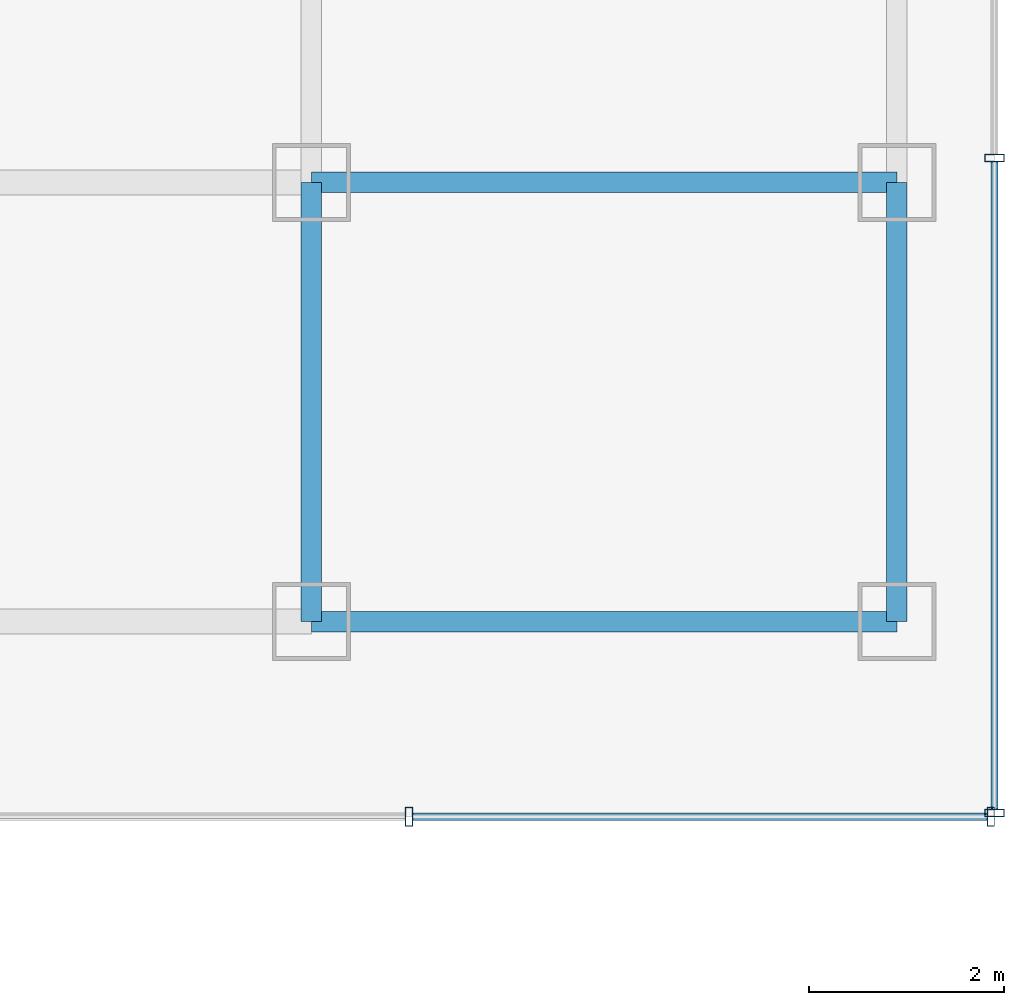
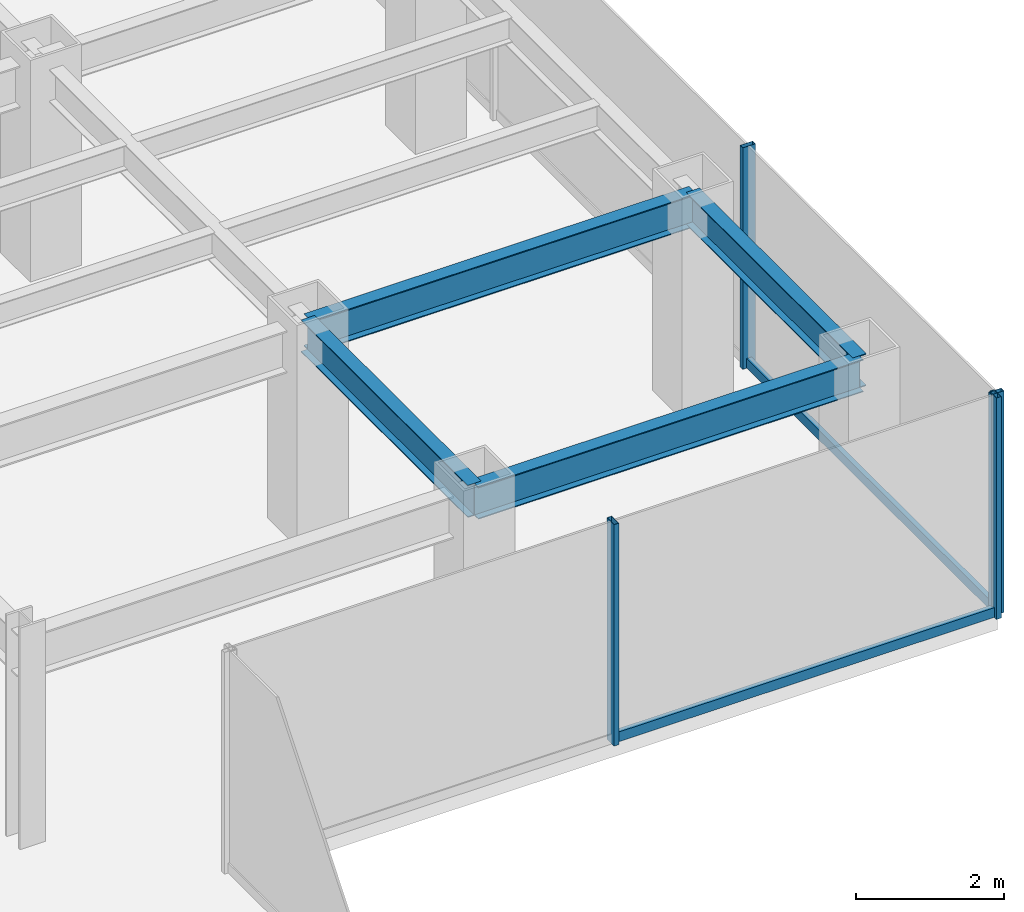
# One storey, part 10 of 26: 6 members, 4 beams, 2 elements without a shape of their own.
"""IFC4 building model written with IfcOpenShell, lengths in metres."""

from ifc_helpers import new_model, si_unit, derived_unit, direction, frame, origin, origin_2d, place, context, subcontext, project, spatial, hollow_rectangle, i_section, extrude, source, transform, mapped, material, material_profile, profile_set, type_object, element, aggregate, save


model = new_model("IFC4")

# Units and contexts
model_context = context("Model", 3, precision=1e-05, world=origin(), true_north=direction((0.0, 1.0)))
body_context = subcontext(model_context, "Body", "Model", "MODEL_VIEW")
ifc_project = project(units=[si_unit("LENGTHUNIT", "METRE"), si_unit("AREAUNIT", "SQUARE_METRE"), si_unit("VOLUMEUNIT", "CUBIC_METRE"), si_unit("PLANEANGLEUNIT", "RADIAN"), si_unit("MASSUNIT", "GRAM", prefix="KILO"), derived_unit("THERMALTRANSMITTANCEUNIT", [(si_unit("POWERUNIT", "WATT"), 1), (si_unit("LENGTHUNIT", "METRE"), -2), (si_unit("THERMODYNAMICTEMPERATUREUNIT", "KELVIN"), -1)])], contexts=[model_context])

# Site, building, storey
site_placement = place(None, origin())
site = spatial("IfcSite", under=ifc_project, at=site_placement, CompositionType="ELEMENT")
building_placement = place(site_placement, origin())
building = spatial("IfcBuilding", under=site, at=building_placement, Name="Skarnbrae Concourse Arena and Tower", CompositionType="ELEMENT")
storey_placement = place(building_placement, frame((0.0, 0.0, 95.949951171875)))
storey = spatial("IfcBuildingStorey", under=building, at=storey_placement, Name="L23", CompositionType="ELEMENT", Elevation=95.949951171875)

# Beams
ifc_material_1 = material(Name="Steel CSA G40.21 350W", Category="steel")
ifc_material_profile_1 = material_profile(ifc_material_1, i_section(OverallWidth=0.208984375, OverallDepth=0.532958984375, WebThickness=0.01025390625, FlangeThickness=0.015625, at=origin_2d()), Name="W530X92")
ifc_profile_set_1 = profile_set([ifc_material_profile_1], Name="Steel CSA G40.21 350W")
beam_type = type_object("IfcBeamType", Name="BM-SPAN-W530X92", PredefinedType="SPANDREL", material=ifc_profile_set_1)
shared_shape_1 = source(origin(), body_context, "Body", "SweptSolid", [
    extrude(i_section(OverallWidth=0.208984375, OverallDepth=0.532958984375, WebThickness=0.01025390625, FlangeThickness=0.015625, at=origin_2d()), origin(), (0.0, 0.0, 1.0), 6.0),
])
for number, where, z_axis, x_axis, name in (
    (1, (49.0, 9.5, 3.133544921875), (1.0, 0.0, 0.0), (0.0, 1.0, 0.0), "L23 Perimeter spandrel Y9.5-3"),
    (2, (49.0, 14.0, 3.133544921875), (1.0, 0.0, 0.0), (0.0, 1.0, 0.0), "L23 Perimeter spandrel Y14.0-8"),
):
    element("IfcBeam", number, at=place(storey_placement, frame(where, z_axis=z_axis, x_axis=x_axis)), inside=storey, type_object=beam_type, Name=name, PredefinedType="SPANDREL", context=body_context, shape_type="MappedRepresentation", body=[
        mapped(shared_shape_1, transform((0.0, 0.0, 0.0))),
    ])
shared_shape_2 = source(origin(), body_context, "Body", "SweptSolid", [
    extrude(i_section(OverallWidth=0.208984375, OverallDepth=0.532958984375, WebThickness=0.01025390625, FlangeThickness=0.015625, at=origin_2d()), origin(), (0.0, 0.0, 1.0), 4.5),
])
for number, where, z_axis, x_axis, name in (
    (3, (49.0, 9.5, 3.133544921875), (0.0, 1.0, 0.0), (-1.0, 0.0, 0.0), "L23 Perimeter spandrel X49.0-1"),
    (4, (55.0, 9.5, 3.133544921875), (0.0, 1.0, 0.0), (-1.0, 0.0, 0.0), "L23 Perimeter spandrel X55.0-1"),
):
    element("IfcBeam", number, at=place(storey_placement, frame(where, z_axis=z_axis, x_axis=x_axis)), inside=storey, type_object=beam_type, Name=name, PredefinedType="SPANDREL", context=body_context, shape_type="MappedRepresentation", body=[
        mapped(shared_shape_2, transform((0.0, 0.0, 0.0))),
    ])

# Curtain wall, members
ifc_material_2 = material(Name="Bronze anodised aluminium 6063-T6", Category="aluminium")
curtain_wall_type = type_object("IfcCurtainWallType", Name="CW-SYS-04-MIDZONE", PredefinedType="USERDEFINED", material=ifc_material_2)
curtain_wall_1_placement = place(storey_placement, origin())
curtain_wall_1 = element("IfcCurtainWall", 5, at=curtain_wall_1_placement, inside=storey, type_object=curtain_wall_type, Name="L23 Unitised curtain wall CW-L23-E03", ObjectType="UNITISED CURTAIN WALL", PredefinedType="USERDEFINED")
ifc_material_profile_2 = material_profile(ifc_material_2, hollow_rectangle(XDim=0.074951171875, YDim=0.195068359375, WallThickness=0.00439453125, at=origin_2d()), Name="ALU-MULL-75X195")
ifc_profile_set_2 = profile_set([ifc_material_profile_2], Name="Bronze anodised aluminium 6063-T6")
member_type_1 = type_object("IfcMemberType", Name="CWM-CW-04", PredefinedType="MULLION", material=ifc_profile_set_2)
shared_shape_3 = source(origin(), body_context, "Body", "SweptSolid", [
    extrude(hollow_rectangle(XDim=0.074951171875, YDim=0.195068359375, WallThickness=0.00439453125, at=origin_2d()), origin(), (0.0, 0.0, 1.0), 3.650146484375),
])
member_1_placement = place(storey_placement, frame((50.0, 7.5, 0.0), z_axis=(0.0, 0.0, 1.0), x_axis=(1.0, 0.0, 0.0)))
member_1 = element("IfcMember", 6, at=member_1_placement, type_object=member_type_1, Name="CW-L23-E03 Mullion 2", PredefinedType="MULLION", context=body_context, shape_type="MappedRepresentation", body=[
    mapped(shared_shape_3, transform((0.0, 0.0, 0.0))),
])
member_2_placement = place(storey_placement, frame((55.96240234375, 7.5, 0.0), z_axis=(0.0, 0.0, 1.0), x_axis=(1.0, 0.0, 0.0)))
member_2 = element("IfcMember", 7, at=member_2_placement, type_object=member_type_1, Name="CW-L23-E03 Mullion 3", PredefinedType="MULLION", context=body_context, shape_type="MappedRepresentation", body=[
    mapped(shared_shape_3, transform((0.0, 0.0, 0.0))),
])

curtain_wall_2_placement = place(storey_placement, origin())
curtain_wall_2 = element("IfcCurtainWall", 8, at=curtain_wall_2_placement, inside=storey, type_object=curtain_wall_type, Name="L23 Unitised curtain wall CW-L23-E04", ObjectType="UNITISED CURTAIN WALL", PredefinedType="USERDEFINED")
member_3_placement = place(storey_placement, frame((56.0, 7.53759765625, 0.0), z_axis=(0.0, 0.0, 1.0), x_axis=(0.0, 1.0, 0.0)))
member_3 = element("IfcMember", 9, at=member_3_placement, type_object=member_type_1, Name="CW-L23-E04 Mullion 1", PredefinedType="MULLION", context=body_context, shape_type="MappedRepresentation", body=[
    mapped(shared_shape_3, transform((0.0, 0.0, 0.0))),
])
member_4_placement = place(storey_placement, frame((56.0, 14.25, 0.0), z_axis=(0.0, 0.0, 1.0), x_axis=(0.0, 1.0, 0.0)))
member_4 = element("IfcMember", 10, at=member_4_placement, type_object=member_type_1, Name="CW-L23-E04 Mullion 2", PredefinedType="MULLION", context=body_context, shape_type="MappedRepresentation", body=[
    mapped(shared_shape_3, transform((0.0, 0.0, 0.0))),
])

# Member
ifc_material_profile_3 = material_profile(ifc_material_2, hollow_rectangle(XDim=0.074951171875, YDim=0.159912109375, WallThickness=0.00439453125, at=origin_2d()), Name="ALU-TRAN-75X160")
ifc_profile_set_3 = profile_set([ifc_material_profile_3], Name="Bronze anodised aluminium 6063-T6")
member_type_2 = type_object("IfcMemberType", Name="CWT-CW-04", PredefinedType="USERDEFINED", material=ifc_profile_set_3)
shared_shape_4 = source(origin(), body_context, "Body", "SweptSolid", [
    extrude(hollow_rectangle(XDim=0.074951171875, YDim=0.159912109375, WallThickness=0.00439453125, at=origin_2d()), origin(), (0.0, 0.0, 1.0), 5.887451171875),
])
member_5_placement = place(storey_placement, frame((50.03759765625, 7.5, 0.080078125), z_axis=(1.0, 0.0, 0.0), x_axis=(0.0, 1.0, 0.0)))
member_5 = element("IfcMember", 11, at=member_5_placement, type_object=member_type_2, Name="CW-L23-E03 Transom 2", ObjectType="TRANSOM", PredefinedType="USERDEFINED", context=body_context, shape_type="MappedRepresentation", body=[
    mapped(shared_shape_4, transform((0.0, 0.0, 0.0))),
])

aggregate(curtain_wall_1, [member_1, member_2, member_5])

shared_shape_5 = source(origin(), body_context, "Body", "SweptSolid", [
    extrude(hollow_rectangle(XDim=0.074951171875, YDim=0.159912109375, WallThickness=0.00439453125, at=origin_2d()), origin(), (0.0, 0.0, 1.0), 6.637451171875),
])
member_6_placement = place(storey_placement, frame((56.0, 7.574951171875, 0.080078125), z_axis=(0.0, 1.0, 0.0), x_axis=(-1.0, 0.0, 0.0)))
member_6 = element("IfcMember", 12, at=member_6_placement, type_object=member_type_2, Name="CW-L23-E04 Transom 1", ObjectType="TRANSOM", PredefinedType="USERDEFINED", context=body_context, shape_type="MappedRepresentation", body=[
    mapped(shared_shape_5, transform((0.0, 0.0, 0.0))),
])

aggregate(curtain_wall_2, [member_3, member_4, member_6])

save(model, "model.ifc")
